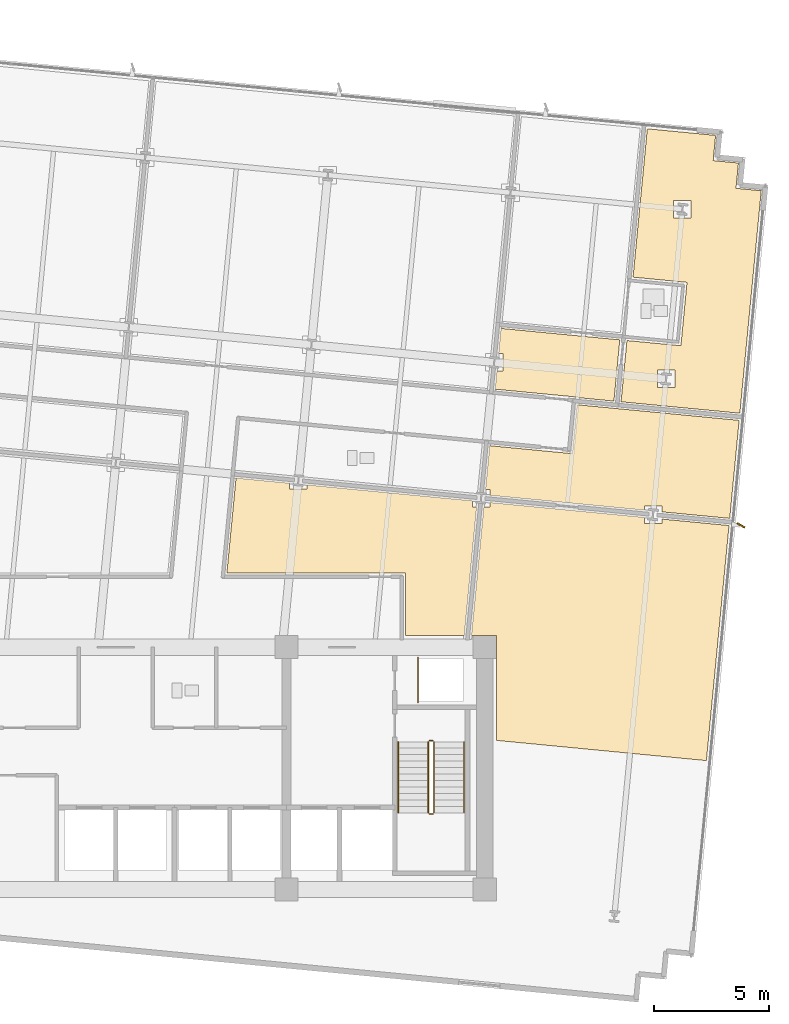
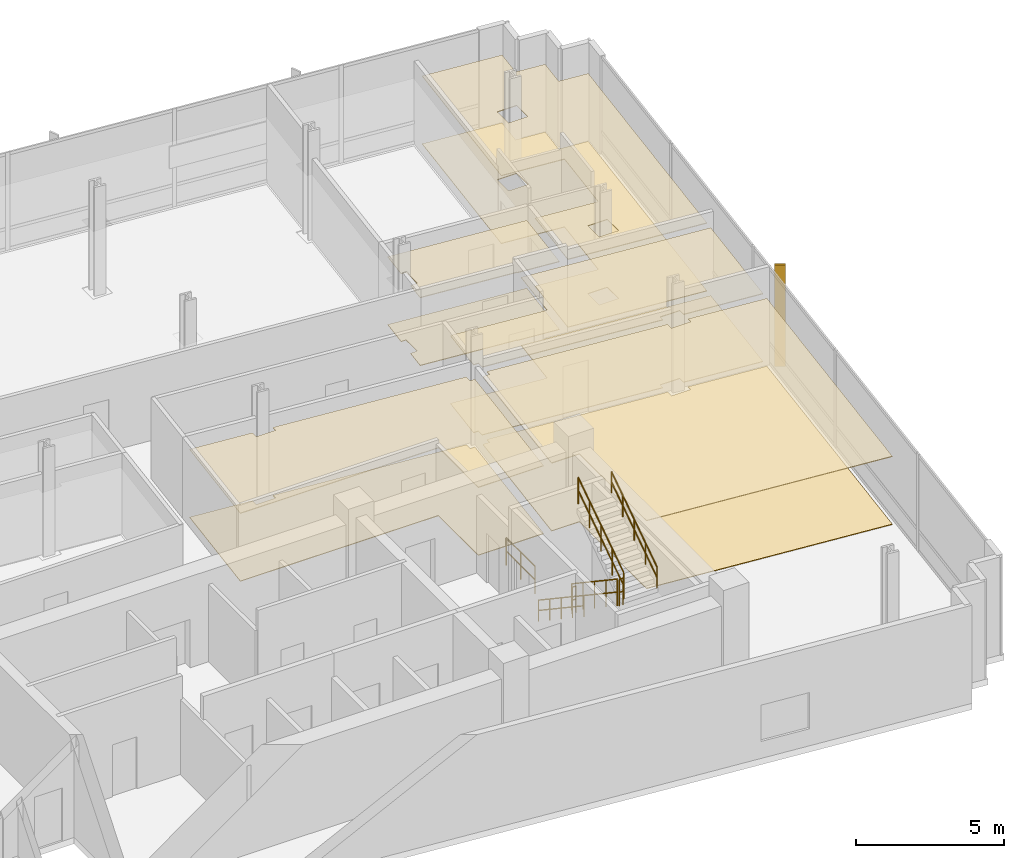
# One storey, part 15 of 17: 10 coverings, 7 railings, 1 shading device.
"""IFC4 building model written with IfcOpenShell, lengths in metres."""

import ifcopenshell
import ifcopenshell.guid

model = None  # the IFC model being written
_history = None  # IfcOwnerHistory: only IFC2X3 demands one
_inside = {}  # id of a spatial element -> (the spatial element, [elements in it])
_under = {}  # id of a project, library or spatial element -> (it, [spatial elements below it])
_declared = {}  # id of a project -> (the project, [libraries it declares])
_typed = {}  # id of a type object -> (the type object, [elements of that type])
_made_of = {}  # id of a material, layer set ... -> (it, [elements and type objects made of it])


def new_model(schema):
    """Start an empty IFC model of exactly this schema.

    Asked for "IFC4X3", IfcOpenShell would pick the latest addendum, in which some entities
    have other attributes; the version numbers below select the first issue.
    IFC2X3 requires an IfcOwnerHistory on every rooted entity: one is made here for all.
    """
    global model, _history
    if schema == "IFC4X3":
        model = ifcopenshell.file(schema_version=(4, 3, 0, 0))
    else:
        model = ifcopenshell.file(schema=schema)
    _inside.clear()
    _under.clear()
    _declared.clear()
    _typed.clear()
    _made_of.clear()
    _history = None
    if model.schema == "IFC2X3":
        org = make("IfcOrganization", Name="unknown")
        user = make(
            "IfcPersonAndOrganization",
            ThePerson=make("IfcPerson", FamilyName="unknown"),
            TheOrganization=org,
        )
        app = make(
            "IfcApplication",
            ApplicationDeveloper=org,
            Version="unknown",
            ApplicationFullName="unknown",
            ApplicationIdentifier="unknown",
        )
        _history = make(
            "IfcOwnerHistory",
            OwningUser=user,
            OwningApplication=app,
            ChangeAction="ADDED",
            CreationDate=0,
        )
    return model


def make(cls, **values):
    """One entity of the class cls with the attributes given. An attribute that is None is left unset."""
    return model.create_entity(
        cls, **{name: value for name, value in values.items() if value is not None}
    )


def rooted(cls, **values):
    """An entity with a GlobalId (a new one), such as an element, a storey or a relation."""
    return make(cls, GlobalId=ifcopenshell.guid.new(), OwnerHistory=_history, **values)


def si_unit(unit_type, name, prefix=None):
    """IfcSIUnit, for example si_unit("LENGTHUNIT", "METRE", prefix="MILLI")."""
    return make("IfcSIUnit", UnitType=unit_type, Prefix=prefix, Name=name)


def assignment(units):
    """IfcUnitAssignment: the units of a project."""
    return None if units is None else make("IfcUnitAssignment", Units=units)


def point(xyz):
    """IfcCartesianPoint."""
    return None if xyz is None else make("IfcCartesianPoint", Coordinates=xyz)


def direction(xyz):
    """IfcDirection."""
    return None if xyz is None else make("IfcDirection", DirectionRatios=xyz)


def frame(location, z_axis=None, x_axis=None):
    """IfcAxis2Placement3D, a coordinate frame: its origin and axes. An axis left out is left unset."""
    return make(
        "IfcAxis2Placement3D",
        Location=point(location),
        Axis=direction(z_axis),
        RefDirection=direction(x_axis),
    )


def frame_2d(location, x_axis=None):
    """IfcAxis2Placement2D, a coordinate frame in the plane: its origin and x axis."""
    return make(
        "IfcAxis2Placement2D", Location=point(location), RefDirection=direction(x_axis)
    )


def origin():
    """The frame at (0, 0, 0) with its axes left unset."""
    return frame((0.0, 0.0, 0.0))


def origin_2d():
    """The frame at (0, 0) in the plane with its x axis left unset."""
    return frame_2d((0.0, 0.0))


def place(relative_to, where):
    """IfcLocalPlacement: puts the frame where relative to a parent placement (None: the world)."""
    return make(
        "IfcLocalPlacement", PlacementRelTo=relative_to, RelativePlacement=where
    )


def context(
    kind, dimensions, precision=None, world=None, true_north=None, identifier=None
):
    """IfcGeometricRepresentationContext, for example the 3D "Model" context."""
    return make(
        "IfcGeometricRepresentationContext",
        ContextIdentifier=identifier,
        ContextType=kind,
        CoordinateSpaceDimension=dimensions,
        Precision=precision,
        WorldCoordinateSystem=world,
        TrueNorth=true_north,
    )


def subcontext(parent, identifier, kind, view, scale=None):
    """IfcGeometricRepresentationSubContext, for example "Body" below "Model"."""
    return make(
        "IfcGeometricRepresentationSubContext",
        ContextIdentifier=identifier,
        ContextType=kind,
        ParentContext=parent,
        TargetScale=scale,
        TargetView=view,
    )


def project(units=None, contexts=None):
    """IfcProject with its units and contexts."""
    return rooted(
        "IfcProject",
        Name="project",
        RepresentationContexts=contexts,
        UnitsInContext=assignment(units),
    )


def spatial(cls, under=None, at=None, **own):
    """A site, building, storey or space (cls), placed at a placement, below another one or the project."""
    s = rooted(cls, ObjectPlacement=at, **own)
    if under is not None:
        _under.setdefault(under.id(), (under, []))[1].append(s)
    return s


def polyline(points):
    """IfcPolyline through the points."""
    return make("IfcPolyline", Points=[point(p) for p in points])


def profile(cls, at=None, kind="AREA", **sizes):
    """A parametric profile (cls). Its sizes go by their IFC names, for example OverallWidth=200.0."""
    return make(cls, ProfileType=kind, Position=at, **sizes)


def rectangle(**sizes):
    """IfcRectangleProfileDef."""
    return profile("IfcRectangleProfileDef", **sizes)


def circle(**sizes):
    """IfcCircleProfileDef."""
    return profile("IfcCircleProfileDef", **sizes)


def outline(outer, holes=None, kind="AREA"):
    """IfcArbitraryClosedProfileDef: a profile drawn as a closed curve; with holes, ...WithVoids."""
    if holes is None:
        return make("IfcArbitraryClosedProfileDef", ProfileType=kind, OuterCurve=outer)
    return make(
        "IfcArbitraryProfileDefWithVoids",
        ProfileType=kind,
        OuterCurve=outer,
        InnerCurves=holes,
    )


def extrude(swept, where, along, depth):
    """IfcExtrudedAreaSolid: the profile swept, set in the frame where, extruded along a direction by depth."""
    return make(
        "IfcExtrudedAreaSolid",
        SweptArea=swept,
        Position=where,
        ExtrudedDirection=direction(along),
        Depth=depth,
    )


def shape(context_of_items, identifier, shape_type, items):
    """IfcShapeRepresentation: the items that make up one representation, for example the "Body"."""
    return make(
        "IfcShapeRepresentation",
        ContextOfItems=context_of_items,
        RepresentationIdentifier=identifier,
        RepresentationType=shape_type,
        Items=items,
    )


def material(Name=None, Category=None):
    """IfcMaterial."""
    return make("IfcMaterial", Name=Name, Category=Category)


def layer(
    of_material, thickness, ventilated=None, Name=None, Category=None, Priority=None
):
    """IfcMaterialLayer: one layer of a wall or slab, of a material (None: an air gap)."""
    return make(
        "IfcMaterialLayer",
        Material=of_material,
        LayerThickness=thickness,
        IsVentilated=ventilated,
        Name=Name,
        Category=Category,
        Priority=Priority,
    )


def layer_set(layers, Name=None):
    """IfcMaterialLayerSet."""
    return make("IfcMaterialLayerSet", MaterialLayers=layers, LayerSetName=Name)


def made_of(thing, what):
    """Note that an element or type object is made of a material, layer set ...; save() writes the relation."""
    if what is not None:
        _made_of.setdefault(what.id(), (what, []))[1].append(thing)
    return thing


def type_object(cls, material=None, **own):
    """A type object (cls), such as IfcWallType, which elements share."""
    return made_of(rooted(cls, **own), material)


def element(
    cls,
    number,
    at=None,
    inside=None,
    cuts=None,
    type_object=None,
    material=None,
    context=None,
    identifier="Body",
    shape_type=None,
    held_by="IfcProductDefinitionShape",
    body=None,
    shapes=None,
    **own,
):
    """One element of the class cls, such as IfcWall. Its Tag is "e" and its number.

    at: its placement. inside: the storey or other place that contains it. cuts: it is an
    opening in that element (IfcRelVoidsElement). A single representation is given by context,
    identifier, shape_type and body (its items); several are given by shapes. held_by: the class
    of the entity that holds the representations. save() writes the other relations.
    """
    e = rooted(cls, Tag="e%d" % number, ObjectPlacement=at, **own)
    if body is not None:
        shapes = [shape(context, identifier, shape_type, body)]
    if shapes is not None:
        e.Representation = make(held_by, Representations=shapes)
    if inside is not None:
        _inside.setdefault(inside.id(), (inside, []))[1].append(e)
    if cuts is not None:
        rooted(
            "IfcRelVoidsElement", RelatingBuildingElement=cuts, RelatedOpeningElement=e
        )
    if type_object is not None:
        _typed.setdefault(type_object.id(), (type_object, []))[1].append(e)
    return made_of(e, material)


def aggregate(whole, parts):
    """IfcRelAggregates: a whole, such as a stair, and the parts it consists of."""
    return rooted("IfcRelAggregates", RelatingObject=whole, RelatedObjects=parts)


def save(model, path):
    """Write the relations noted so far, then the file.

    IfcRelAggregates (storeys below a building ...), IfcRelContainedInSpatialStructure (elements
    in a storey), IfcRelDefinesByType, IfcRelAssociatesMaterial and IfcRelDeclares: one each for
    every whole, place, type object, material and project.
    """
    for whole, parts in _under.values():
        aggregate(whole, parts)
    for where, things in _inside.values():
        rooted(
            "IfcRelContainedInSpatialStructure",
            RelatedElements=things,
            RelatingStructure=where,
        )
    for kind, things in _typed.values():
        rooted("IfcRelDefinesByType", RelatedObjects=things, RelatingType=kind)
    for what, things in _made_of.values():
        rooted("IfcRelAssociatesMaterial", RelatedObjects=things, RelatingMaterial=what)
    for by, libraries in _declared.values():
        rooted("IfcRelDeclares", RelatingContext=by, RelatedDefinitions=libraries)
    model.write(path)


model = new_model("IFC4")

# Units and contexts
model_context = context("Model", 3, precision=1e-05, world=origin(), true_north=direction((0.0, 1.0)))
body_context = subcontext(model_context, "Body", "Model", "MODEL_VIEW")
ifc_project = project(units=[si_unit("LENGTHUNIT", "METRE"), si_unit("AREAUNIT", "SQUARE_METRE"), si_unit("VOLUMEUNIT", "CUBIC_METRE"), si_unit("PLANEANGLEUNIT", "RADIAN"), si_unit("MASSUNIT", "GRAM", prefix="KILO")], contexts=[model_context])

# Site, building, storey
site_placement = place(None, origin())
site = spatial("IfcSite", under=ifc_project, at=site_placement, CompositionType="ELEMENT")
building_placement = place(site_placement, origin())
building = spatial("IfcBuilding", under=site, at=building_placement, Name="Solmavex Isthmus Hotel", CompositionType="ELEMENT")
storey_placement = place(building_placement, frame((0.0, 0.0, 181.800048828125)))
storey = spatial("IfcBuildingStorey", under=building, at=storey_placement, Name="L49", CompositionType="ELEMENT", Elevation=181.800048828125)

# Coverings
ifc_material_1 = material(Name="Gypsum plasterboard lining", Category="gypsum")
ifc_layer_1 = layer(ifc_material_1, 0.030029296875)
ifc_layer_set_1 = layer_set([ifc_layer_1], Name="Gypsum plasterboard lining")
covering_type_1 = type_object("IfcCoveringType", Name="COV-CEIL-GYP", PredefinedType="CEILING", material=ifc_layer_set_1)
covering_1_placement = place(storey_placement, frame((0.0, 0.0, 2.800048828125)))
element("IfcCovering", 1, at=covering_1_placement, inside=storey, type_object=covering_type_1, Name="Suspended Acoustic Ceiling L49-SL04-FY", PredefinedType="CEILING", context=body_context, shape_type="SweptSolid", body=[
    extrude(outline(polyline([(16.5986328125, 10.22607421875), (16.786376953125, 10.22607421875), (16.786376953125, 9.466064453125), (16.525390625, 9.466064453125), (16.449951171875, 8.68359375), (20.033447265625, 8.33837890625), (20.031494140625, 8.318603515625), (21.598388671875, 8.167724609375), (21.85400390625, 10.823486328125), (16.703857421875, 11.3193359375), (16.5986328125, 10.22607421875)])), origin(), (0.0, 0.0, 1.0), 0.02978515625),
])
covering_2_placement = place(storey_placement, frame((0.0, 0.0, 2.800048828125)))
element("IfcCovering", 2, at=covering_2_placement, inside=storey, type_object=covering_type_1, Name="Suspended Acoustic Ceiling L49-SV04", PredefinedType="CEILING", context=body_context, shape_type="SweptSolid", body=[
    extrude(outline(polyline([(25.9013671875, 18.59326171875), (26.0068359375, 19.688232421875), (25.185546875, 19.767333984375), (23.04638671875, 19.97314453125), (22.42724609375, 13.541015625), (24.766357421875, 13.315673828125), (24.501708984375, 10.568359375), (22.16259765625, 10.793701171875), (21.906982421875, 8.137939453125), (27.05712890625, 7.64208984375), (27.90673828125, 16.46630859375), (27.98583984375, 17.287353515625), (26.890869140625, 17.392822265625), (26.996337890625, 18.48779296875), (25.9013671875, 18.59326171875)]), holes=[polyline([(24.188232421875, 16.106201171875), (24.188232421875, 16.8662109375), (24.9482421875, 16.8662109375), (24.9482421875, 16.106201171875), (24.188232421875, 16.106201171875)]), polyline([(23.479736328125, 8.748291015625), (23.479736328125, 9.50830078125), (24.23974609375, 9.50830078125), (24.23974609375, 8.748291015625), (23.479736328125, 8.748291015625)])]), origin(), (0.0, 0.0, 1.0), 0.02978515625),
])
covering_3_placement = place(storey_placement, frame((0.0, 0.0, 2.800048828125)))
element("IfcCovering", 3, at=covering_3_placement, inside=storey, type_object=covering_type_1, Name="Suspended Acoustic Ceiling L49-FL06", PredefinedType="CEILING", context=body_context, shape_type="SweptSolid", body=[
    extrude(outline(polyline([(22.91357421875, 3.43994140625), (22.91357421875, 3.62744140625), (23.673583984375, 3.62744140625), (23.673583984375, 3.36669921875), (26.6181640625, 3.083251953125), (27.02734375, 7.33349609375), (20.001953125, 8.010009765625), (19.797607421875, 5.8896484375), (16.21435546875, 6.23486328125), (16.0322265625, 4.34521484375), (16.219970703125, 4.34521484375), (16.219970703125, 4.08447265625), (22.91357421875, 3.43994140625)])), origin(), (0.0, 0.0, 1.0), 0.02978515625),
])
covering_4_placement = place(storey_placement, frame((0.0, 0.0, 2.800048828125)))
element("IfcCovering", 4, at=covering_4_placement, inside=storey, type_object=covering_type_1, Name="Suspended Acoustic Ceiling L49-FL08", PredefinedType="CEILING", context=body_context, shape_type="SweptSolid", body=[
    extrude(outline(polyline([(8.300537109375, 4.535400390625), (8.300537109375, 4.347900390625), (7.540771484375, 4.347900390625), (7.540771484375, 4.608642578125), (5.21533203125, 4.83251953125), (4.81787109375, 0.705078125), (12.554931640625, 0.705078125), (12.554931640625, -1.9951171875), (15.1103515625, -1.9951171875), (15.647705078125, 3.585205078125), (15.4599609375, 3.585205078125), (15.4599609375, 3.84619140625), (8.300537109375, 4.535400390625)])), origin(), (0.0, 0.0, 1.0), 0.02978515625),
])
covering_5_placement = place(storey_placement, frame((0.0, 0.0, 2.800048828125)))
element("IfcCovering", 5, at=covering_5_placement, inside=storey, type_object=covering_type_1, Name="Suspended Acoustic Ceiling L49-FL10", PredefinedType="CEILING", context=body_context, shape_type="SweptSolid", body=[
    extrude(outline(polyline([(16.219970703125, 3.77294921875), (16.219970703125, 3.585205078125), (15.959228515625, 3.585205078125), (15.421875, -1.9951171875), (16.5048828125, -1.9951171875), (16.5048828125, -6.541748046875), (25.60693359375, -7.418212890625), (26.58837890625, 2.774658203125), (23.673583984375, 3.05517578125), (23.673583984375, 2.867431640625), (22.91357421875, 2.867431640625), (22.91357421875, 3.12841796875), (16.219970703125, 3.77294921875)])), origin(), (0.0, 0.0, 1.0), 0.02978515625),
])
ifc_material_2 = material(Name="Travertine natural stone", Category="masonry")
ifc_layer_2 = layer(ifc_material_2, 0.02490234375)
ifc_layer_set_2 = layer_set([ifc_layer_2], Name="Travertine natural stone")
covering_type_2 = type_object("IfcCoveringType", Name="COV-FLOR-STN", PredefinedType="FLOORING", material=ifc_layer_set_2)
covering_6_placement = place(storey_placement, origin())
element("IfcCovering", 6, at=covering_6_placement, inside=storey, type_object=covering_type_2, Name="Stone and Timber Floor Finish L49-SL04-FY", PredefinedType="FLOORING", context=body_context, shape_type="SweptSolid", body=[
    extrude(outline(polyline([(16.5986328125, 10.22607421875), (16.786376953125, 10.22607421875), (16.786376953125, 9.466064453125), (16.525390625, 9.466064453125), (16.449951171875, 8.68359375), (20.033447265625, 8.33837890625), (20.031494140625, 8.318603515625), (21.598388671875, 8.167724609375), (21.85400390625, 10.823486328125), (16.703857421875, 11.3193359375), (16.5986328125, 10.22607421875)])), origin(), (0.0, 0.0, 1.0), 0.02490234375),
])
covering_7_placement = place(storey_placement, origin())
element("IfcCovering", 7, at=covering_7_placement, inside=storey, type_object=covering_type_2, Name="Stone and Timber Floor Finish L49-SV04", PredefinedType="FLOORING", context=body_context, shape_type="SweptSolid", body=[
    extrude(outline(polyline([(25.9013671875, 18.59326171875), (26.0068359375, 19.688232421875), (25.185546875, 19.767333984375), (23.04638671875, 19.97314453125), (22.42724609375, 13.541015625), (24.766357421875, 13.315673828125), (24.501708984375, 10.568359375), (22.16259765625, 10.793701171875), (21.906982421875, 8.137939453125), (27.05712890625, 7.64208984375), (27.90673828125, 16.46630859375), (27.98583984375, 17.287353515625), (26.890869140625, 17.392822265625), (26.996337890625, 18.48779296875), (25.9013671875, 18.59326171875)]), holes=[polyline([(24.188232421875, 16.106201171875), (24.188232421875, 16.8662109375), (24.9482421875, 16.8662109375), (24.9482421875, 16.106201171875), (24.188232421875, 16.106201171875)]), polyline([(23.479736328125, 8.748291015625), (23.479736328125, 9.50830078125), (24.23974609375, 9.50830078125), (24.23974609375, 8.748291015625), (23.479736328125, 8.748291015625)])]), origin(), (0.0, 0.0, 1.0), 0.02490234375),
])
covering_8_placement = place(storey_placement, origin())
element("IfcCovering", 8, at=covering_8_placement, inside=storey, type_object=covering_type_2, Name="Stone and Timber Floor Finish L49-FL06", PredefinedType="FLOORING", context=body_context, shape_type="SweptSolid", body=[
    extrude(outline(polyline([(22.91357421875, 3.43994140625), (22.91357421875, 3.62744140625), (23.673583984375, 3.62744140625), (23.673583984375, 3.36669921875), (26.6181640625, 3.083251953125), (27.02734375, 7.33349609375), (20.001953125, 8.010009765625), (19.797607421875, 5.8896484375), (16.21435546875, 6.23486328125), (16.0322265625, 4.34521484375), (16.219970703125, 4.34521484375), (16.219970703125, 4.08447265625), (22.91357421875, 3.43994140625)])), origin(), (0.0, 0.0, 1.0), 0.02490234375),
])
covering_9_placement = place(storey_placement, origin())
element("IfcCovering", 9, at=covering_9_placement, inside=storey, type_object=covering_type_2, Name="Stone and Timber Floor Finish L49-FL08", PredefinedType="FLOORING", context=body_context, shape_type="SweptSolid", body=[
    extrude(outline(polyline([(8.300537109375, 4.535400390625), (8.300537109375, 4.347900390625), (7.540771484375, 4.347900390625), (7.540771484375, 4.608642578125), (5.21533203125, 4.83251953125), (4.81787109375, 0.705078125), (12.554931640625, 0.705078125), (12.554931640625, -1.9951171875), (15.1103515625, -1.9951171875), (15.647705078125, 3.585205078125), (15.4599609375, 3.585205078125), (15.4599609375, 3.84619140625), (8.300537109375, 4.535400390625)])), origin(), (0.0, 0.0, 1.0), 0.02490234375),
])
covering_10_placement = place(storey_placement, origin())
element("IfcCovering", 10, at=covering_10_placement, inside=storey, type_object=covering_type_2, Name="Stone and Timber Floor Finish L49-FL10", PredefinedType="FLOORING", context=body_context, shape_type="SweptSolid", body=[
    extrude(outline(polyline([(16.219970703125, 3.77294921875), (16.219970703125, 3.585205078125), (15.959228515625, 3.585205078125), (15.421875, -1.9951171875), (16.5048828125, -1.9951171875), (16.5048828125, -6.541748046875), (25.60693359375, -7.418212890625), (26.58837890625, 2.774658203125), (23.673583984375, 3.05517578125), (23.673583984375, 2.867431640625), (22.91357421875, 2.867431640625), (22.91357421875, 3.12841796875), (16.219970703125, 3.77294921875)])), origin(), (0.0, 0.0, 1.0), 0.02490234375),
])

# Railings
ifc_material_3 = material(Name="Clear low-E laminated glass", Category="glass")
ifc_layer_3 = layer(ifc_material_3, 0.080078125)
ifc_layer_set_3 = layer_set([ifc_layer_3], Name="Clear low-E laminated glass")
railing_type_1 = type_object("IfcRailingType", Name="RAIL-ATRIUM-1120", PredefinedType="BALUSTRADE", material=ifc_layer_set_3)
railing_1_placement = place(storey_placement, frame((13.10009765625, -4.89990234375, 0.0)))
element("IfcRailing", 11, at=railing_1_placement, inside=storey, type_object=railing_type_1, Name="Guardrail Balustrade L49-RSE-01", PredefinedType="BALUSTRADE", context=body_context, shape_type="SweptSolid", body=[
    extrude(circle(Radius=0.02392578125, at=origin_2d()), frame((0.0, 0.0, 1.1259765625), z_axis=(0.0, 1.0, 0.0), x_axis=(-1.0, 0.0, 0.0)), (0.0, 0.0, 1.0), 1.949951171875),
    extrude(circle(Radius=0.02392578125, at=origin_2d()), frame((0.0, 0.0, 0.574951171875), z_axis=(0.0, 1.0, 0.0), x_axis=(-1.0, 0.0, 0.0)), (0.0, 0.0, 1.0), 1.949951171875),
    extrude(circle(Radius=0.02099609375, at=origin_2d()), origin(), (0.0, 0.0, 1.0), 1.101806640625),
    extrude(circle(Radius=0.02099609375, at=origin_2d()), frame((0.0, 0.97509765625, 0.0)), (0.0, 0.0, 1.0), 1.101806640625),
    extrude(circle(Radius=0.02099609375, at=origin_2d()), frame((0.0, 1.949951171875, 0.0)), (0.0, 0.0, 1.0), 1.101806640625),
])
ifc_material_4 = material(Name="Stainless steel 316", Category="steel")
ifc_layer_4 = layer(ifc_material_4, 0.06005859375)
ifc_layer_set_4 = layer_set([ifc_layer_4], Name="Stainless steel 316")
railing_type_2 = type_object("IfcRailingType", Name="RAIL-STAIR-GD", PredefinedType="GUARDRAIL", material=ifc_layer_set_4)
railing_2_placement = place(storey_placement, frame((13.550048828125, -6.60009765625, 0.1875)))
element("IfcRailing", 12, at=railing_2_placement, inside=storey, type_object=railing_type_2, Name="L49 ST-2 stair guard 1", PredefinedType="GUARDRAIL", context=body_context, shape_type="SweptSolid", body=[
    extrude(circle(Radius=0.02392578125, at=origin_2d()), frame((0.0, 0.0, 1.09619140625), z_axis=(0.0, -0.830893310487, 0.556431762742), x_axis=(1.0, 0.0, 0.0)), (0.0, 0.0, 1.0), 3.70654296875),
    extrude(circle(Radius=0.02392578125, at=origin_2d()), frame((0.0, 0.0, 0.56005859375), z_axis=(0.0, -0.830893310487, 0.556431762742), x_axis=(1.0, 0.0, 0.0)), (0.0, 0.0, 1.0), 3.70654296875),
    extrude(circle(Radius=0.02099609375, at=origin_2d()), origin(), (0.0, 0.0, 1.0), 1.072021484375),
    extrude(circle(Radius=0.02099609375, at=origin_2d()), frame((0.0, -0.77001953125, 0.515625)), (0.0, 0.0, 1.0), 1.072021484375),
    extrude(circle(Radius=0.02099609375, at=origin_2d()), frame((0.0, -1.5400390625, 1.03125)), (0.0, 0.0, 1.0), 1.072021484375),
    extrude(circle(Radius=0.02099609375, at=origin_2d()), frame((0.0, -2.309814453125, 1.546875)), (0.0, 0.0, 1.0), 1.072021484375),
    extrude(circle(Radius=0.02099609375, at=origin_2d()), frame((0.0, -3.079833984375, 2.0625)), (0.0, 0.0, 1.0), 1.072021484375),
])
railing_3_placement = place(storey_placement, frame((13.60009765625, -9.72998046875, 2.25)))
element("IfcRailing", 13, at=railing_3_placement, inside=storey, type_object=railing_type_2, Name="L49 ST-2 stair guard 2", PredefinedType="GUARDRAIL", context=body_context, shape_type="SweptSolid", body=[
    extrude(circle(Radius=0.02392578125, at=origin_2d()), frame((0.0, 0.0, 1.09619140625), z_axis=(1.0, 0.0, 0.0), x_axis=(0.0, 1.0, 0.0)), (0.0, 0.0, 1.0), 0.14990234375),
    extrude(circle(Radius=0.02392578125, at=origin_2d()), frame((0.0, 0.0, 0.56005859375), z_axis=(1.0, 0.0, 0.0), x_axis=(0.0, 1.0, 0.0)), (0.0, 0.0, 1.0), 0.14990234375),
    extrude(circle(Radius=0.02099609375, at=origin_2d()), origin(), (0.0, 0.0, 1.0), 1.072021484375),
    extrude(circle(Radius=0.02099609375, at=origin_2d()), frame((0.14990234375, 0.0, 0.0)), (0.0, 0.0, 1.0), 1.072021484375),
])
railing_4_placement = place(storey_placement, frame((13.800048828125, -9.679931640625, 2.4375)))
element("IfcRailing", 14, at=railing_4_placement, inside=storey, type_object=railing_type_2, Name="L49 ST-2 stair guard 3", PredefinedType="GUARDRAIL", context=body_context, shape_type="SweptSolid", body=[
    extrude(circle(Radius=0.02392578125, at=origin_2d()), frame((0.0, 0.0, 1.09619140625), z_axis=(0.0, 0.830893310487, 0.556431762742), x_axis=(-1.0, 0.0, 0.0)), (0.0, 0.0, 1.0), 3.70654296875),
    extrude(circle(Radius=0.02392578125, at=origin_2d()), frame((0.0, 0.0, 0.56005859375), z_axis=(0.0, 0.830893310487, 0.556431762742), x_axis=(-1.0, 0.0, 0.0)), (0.0, 0.0, 1.0), 3.70654296875),
    extrude(circle(Radius=0.02099609375, at=origin_2d()), origin(), (0.0, 0.0, 1.0), 1.072021484375),
    extrude(circle(Radius=0.02099609375, at=origin_2d()), frame((0.0, 0.77001953125, 0.515625)), (0.0, 0.0, 1.0), 1.072021484375),
    extrude(circle(Radius=0.02099609375, at=origin_2d()), frame((0.0, 1.5400390625, 1.03125)), (0.0, 0.0, 1.0), 1.072021484375),
    extrude(circle(Radius=0.02099609375, at=origin_2d()), frame((0.0, 2.309814453125, 1.546875)), (0.0, 0.0, 1.0), 1.072021484375),
    extrude(circle(Radius=0.02099609375, at=origin_2d()), frame((0.0, 3.079833984375, 2.0625)), (0.0, 0.0, 1.0), 1.072021484375),
])
railing_5_placement = place(storey_placement, frame((13.60009765625, -6.550048828125, 0.0)))
element("IfcRailing", 15, at=railing_5_placement, inside=storey, type_object=railing_type_2, Name="L49 ST-2 stair guard 4", PredefinedType="GUARDRAIL", context=body_context, shape_type="SweptSolid", body=[
    extrude(circle(Radius=0.02392578125, at=origin_2d()), frame((0.0, 0.0, 1.09619140625), z_axis=(1.0, 0.0, 0.0), x_axis=(0.0, 1.0, 0.0)), (0.0, 0.0, 1.0), 0.14990234375),
    extrude(circle(Radius=0.02392578125, at=origin_2d()), frame((0.0, 0.0, 0.56005859375), z_axis=(1.0, 0.0, 0.0), x_axis=(0.0, 1.0, 0.0)), (0.0, 0.0, 1.0), 0.14990234375),
    extrude(circle(Radius=0.02099609375, at=origin_2d()), origin(), (0.0, 0.0, 1.0), 1.072021484375),
    extrude(circle(Radius=0.02099609375, at=origin_2d()), frame((0.14990234375, 0.0, 0.0)), (0.0, 0.0, 1.0), 1.072021484375),
])
ifc_layer_5 = layer(ifc_material_4, 0.050048828125)
ifc_layer_set_5 = layer_set([ifc_layer_5], Name="Stainless steel 316")
railing_type_3 = type_object("IfcRailingType", Name="RAIL-STAIR-HR", PredefinedType="HANDRAIL", material=ifc_layer_set_5)
railing_6_placement = place(storey_placement, frame((12.25, -6.60009765625, 0.1875)))
element("IfcRailing", 16, at=railing_6_placement, inside=storey, type_object=railing_type_3, Name="L49 ST-2 stair handrail 1", PredefinedType="HANDRAIL", context=body_context, shape_type="SweptSolid", body=[
    extrude(circle(Radius=0.02392578125, at=origin_2d()), frame((0.0, 0.0, 0.8759765625), z_axis=(0.0, -0.830893310487, 0.556431762742), x_axis=(1.0, 0.0, 0.0)), (0.0, 0.0, 1.0), 3.70654296875),
    extrude(circle(Radius=0.02392578125, at=origin_2d()), frame((0.0, 0.0, 0.449951171875), z_axis=(0.0, -0.830893310487, 0.556431762742), x_axis=(1.0, 0.0, 0.0)), (0.0, 0.0, 1.0), 3.70654296875),
    extrude(circle(Radius=0.02099609375, at=origin_2d()), origin(), (0.0, 0.0, 1.0), 0.851806640625),
    extrude(circle(Radius=0.02099609375, at=origin_2d()), frame((0.0, -0.77001953125, 0.515625)), (0.0, 0.0, 1.0), 0.851806640625),
    extrude(circle(Radius=0.02099609375, at=origin_2d()), frame((0.0, -1.5400390625, 1.03125)), (0.0, 0.0, 1.0), 0.851806640625),
    extrude(circle(Radius=0.02099609375, at=origin_2d()), frame((0.0, -2.309814453125, 1.546875)), (0.0, 0.0, 1.0), 0.851806640625),
    extrude(circle(Radius=0.02099609375, at=origin_2d()), frame((0.0, -3.079833984375, 2.0625)), (0.0, 0.0, 1.0), 0.851806640625),
])
railing_7_placement = place(storey_placement, frame((15.10009765625, -9.679931640625, 2.4375)))
element("IfcRailing", 17, at=railing_7_placement, inside=storey, type_object=railing_type_3, Name="L49 ST-2 stair handrail 2", PredefinedType="HANDRAIL", context=body_context, shape_type="SweptSolid", body=[
    extrude(circle(Radius=0.02392578125, at=origin_2d()), frame((0.0, 0.0, 0.8759765625), z_axis=(0.0, 0.830893310487, 0.556431762742), x_axis=(-1.0, 0.0, 0.0)), (0.0, 0.0, 1.0), 3.70654296875),
    extrude(circle(Radius=0.02392578125, at=origin_2d()), frame((0.0, 0.0, 0.449951171875), z_axis=(0.0, 0.830893310487, 0.556431762742), x_axis=(-1.0, 0.0, 0.0)), (0.0, 0.0, 1.0), 3.70654296875),
    extrude(circle(Radius=0.02099609375, at=origin_2d()), origin(), (0.0, 0.0, 1.0), 0.851806640625),
    extrude(circle(Radius=0.02099609375, at=origin_2d()), frame((0.0, 0.77001953125, 0.515625)), (0.0, 0.0, 1.0), 0.851806640625),
    extrude(circle(Radius=0.02099609375, at=origin_2d()), frame((0.0, 1.5400390625, 1.03125)), (0.0, 0.0, 1.0), 0.851806640625),
    extrude(circle(Radius=0.02099609375, at=origin_2d()), frame((0.0, 2.309814453125, 1.546875)), (0.0, 0.0, 1.0), 0.851806640625),
    extrude(circle(Radius=0.02099609375, at=origin_2d()), frame((0.0, 3.079833984375, 2.0625)), (0.0, 0.0, 1.0), 0.851806640625),
])

# Shading device
ifc_material_5 = material(Name="Aluminium alloy 6063-T6", Category="aluminium")
shading_device_type = type_object("IfcShadingDeviceType", Name="SHD-FIN-CHAMP", PredefinedType="USERDEFINED", material=ifc_material_5)
shading_device_placement = place(storey_placement, frame((27.106201171875, 2.780029296875, -0.14013671875), z_axis=(0.0, 0.0, 1.0), x_axis=(0.87035569594, -0.492423560103, 0.0)))
element("IfcShadingDevice", 18, at=shading_device_placement, inside=storey, type_object=shading_device_type, Name="Anodised Aluminium Solar Fin L49-E1", ObjectType="SOLAR_FIN", PredefinedType="USERDEFINED", context=body_context, shape_type="SweptSolid", body=[
    extrude(rectangle(XDim=0.3798828125, YDim=0.070068359375, at=origin_2d()), origin(), (0.0, 0.0, 1.0), 4.18994140625),
])

save(model, "model.ifc")
